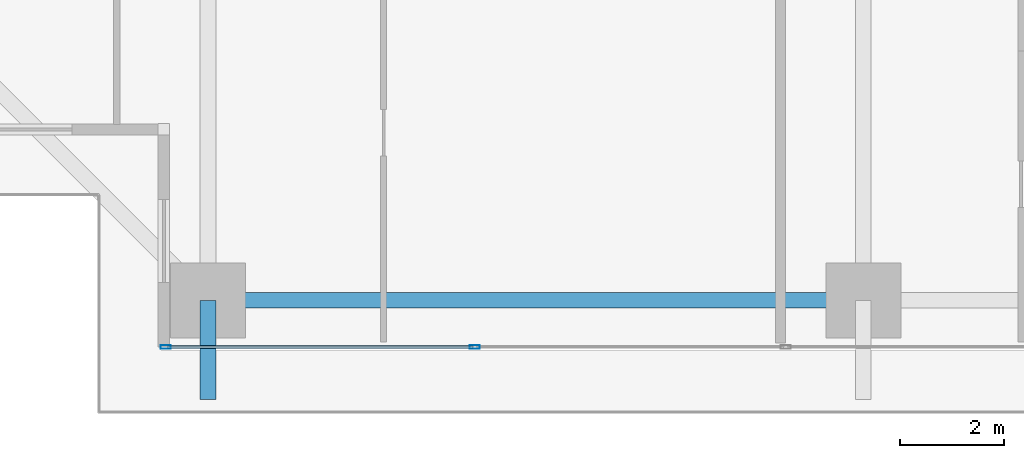
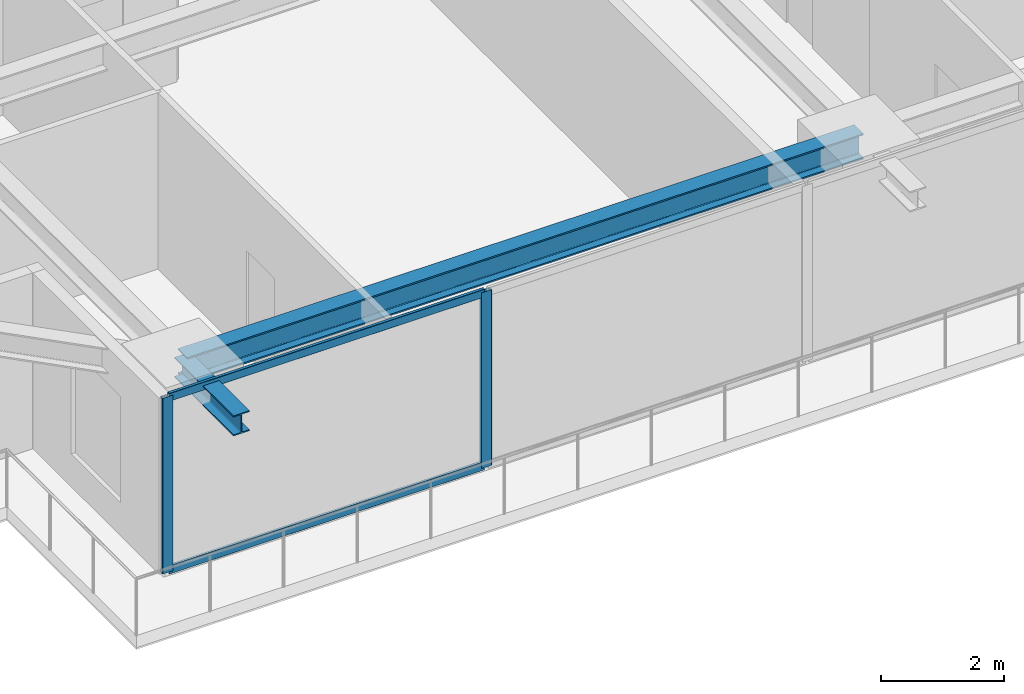
# One storey, part 2 of 37: 4 members, 2 beams, 1 element without a shape of its own.
"""IFC4 building model written with IfcOpenShell, lengths in metres."""

from ifc_helpers import new_model, si_unit, direction, frame, origin, origin_2d, place, context, subcontext, project, spatial, hollow_rectangle, i_section, extrude, source, transform, mapped, material, layer, layer_set, material_profile, profile_set, type_object, element, aggregate, save


model = new_model("IFC4")

# Units and contexts
model_context = context("Model", 3, precision=1e-05, world=origin(), true_north=direction((0.0, 1.0)))
body_context = subcontext(model_context, "Body", "Model", "MODEL_VIEW")
ifc_project = project(units=[si_unit("LENGTHUNIT", "METRE"), si_unit("AREAUNIT", "SQUARE_METRE"), si_unit("VOLUMEUNIT", "CUBIC_METRE"), si_unit("PLANEANGLEUNIT", "RADIAN"), si_unit("MASSUNIT", "GRAM", prefix="KILO")], contexts=[model_context])

# Site, building, storey
site_placement = place(None, origin())
site = spatial("IfcSite", under=ifc_project, at=site_placement, CompositionType="ELEMENT")
building_placement = place(site_placement, origin())
building = spatial("IfcBuilding", under=site, at=building_placement, Name="Serunith Strait Residences", CompositionType="ELEMENT")
storey_placement = place(building_placement, frame((0.0, 0.0, 26.699951171875)))
storey = spatial("IfcBuildingStorey", under=building, at=storey_placement, Name="L05", CompositionType="ELEMENT", Elevation=26.699951171875)

# Beams
ifc_material_1 = material(Name="Steel S355J2", Category="steel")
ifc_material_profile_1 = material_profile(ifc_material_1, i_section(OverallWidth=0.300048828125, OverallDepth=0.5, WebThickness=0.014404296875, FlangeThickness=0.028076171875, FilletRadius=0.027099609375, at=origin_2d()), Name="HEB 500")
ifc_profile_set_1 = profile_set([ifc_material_profile_1], Name="Steel S355J2")
beam_type_1 = type_object("IfcBeamType", Name="BM-HEB500", PredefinedType="BEAM", material=ifc_profile_set_1)
shared_shape_1 = source(origin(), body_context, "Body", "SweptSolid", [
    extrude(i_section(OverallWidth=0.300048828125, OverallDepth=0.5, WebThickness=0.014404296875, FlangeThickness=0.028076171875, FilletRadius=0.027099609375, at=origin_2d()), origin(), (0.0, 0.0, 1.0), 12.64990234375),
])
beam_1_placement = place(storey_placement, frame((15.25, 1.10009765625, 3.237060546875), z_axis=(1.0, 0.0, 0.0), x_axis=(0.0, 1.0, 0.0)))
element("IfcBeam", 1, at=beam_1_placement, inside=storey, type_object=beam_type_1, Name="L05 Perimeter Ring Beam 01", PredefinedType="BEAM", context=body_context, shape_type="MappedRepresentation", body=[
    mapped(shared_shape_1, transform((0.0, 0.0, 0.0), scale=1.0)),
])
ifc_material_profile_2 = material_profile(ifc_material_1, i_section(OverallWidth=0.300048828125, OverallDepth=0.39990234375, WebThickness=0.013427734375, FlangeThickness=0.02392578125, FilletRadius=0.027099609375, at=origin_2d()), Name="HEB 400")
ifc_profile_set_2 = profile_set([ifc_material_profile_2], Name="Steel S355J2")
beam_type_2 = type_object("IfcBeamType", Name="BM-HEB400", PredefinedType="BEAM", material=ifc_profile_set_2)
shared_shape_2 = source(origin(), body_context, "Body", "SweptSolid", [
    extrude(i_section(OverallWidth=0.300048828125, OverallDepth=0.39990234375, WebThickness=0.013427734375, FlangeThickness=0.02392578125, FilletRadius=0.027099609375, at=origin_2d()), origin(), (0.0, 0.0, 1.0), 1.91015625),
])
beam_2_placement = place(storey_placement, frame((15.25, 1.10009765625, 3.257080078125), z_axis=(0.0, -1.0, 0.0), x_axis=(1.0, 0.0, 0.0)))
element("IfcBeam", 2, at=beam_2_placement, inside=storey, type_object=beam_type_2, Name="L06 Cantilevered Balcony Rib TC-S1", PredefinedType="BEAM", context=body_context, shape_type="MappedRepresentation", body=[
    mapped(shared_shape_2, transform((0.0, 0.0, 0.0), scale=1.0)),
])

# Curtain wall, members
ifc_material_2 = material(Name="Pale-Champagne Anodised Aluminium", Category="aluminium")
ifc_layer = layer(ifc_material_2, 0.199951171875, Name="Pale-Champagne Anodised Aluminium")
ifc_layer_set = layer_set([ifc_layer], Name="Pale-Champagne Anodised Aluminium")
curtain_wall_type = type_object("IfcCurtainWallType", Name="CW-SYS1", PredefinedType="NOTDEFINED", material=ifc_layer_set)
curtain_wall_placement = place(storey_placement, origin())
curtain_wall = element("IfcCurtainWall", 3, at=curtain_wall_placement, inside=storey, type_object=curtain_wall_type, Name="L05 S Unitised Fritted Curtain Wall", PredefinedType="NOTDEFINED")
ifc_material_profile_3 = material_profile(ifc_material_2, hollow_rectangle(XDim=0.070068359375, YDim=0.199951171875, WallThickness=0.00390625, InnerFilletRadius=0.006103515625, OuterFilletRadius=0.010009765625, at=origin_2d()), Name="ALU 200x70x4")
ifc_profile_set_3 = profile_set([ifc_material_profile_3], Name="Pale-Champagne Anodised Aluminium")
member_type_1 = type_object("IfcMemberType", Name="CW-SYS1-MULL", PredefinedType="MULLION", material=ifc_profile_set_3)
shared_shape_3 = source(origin(), body_context, "Body", "SweptSolid", [
    extrude(hollow_rectangle(XDim=0.070068359375, YDim=0.199951171875, WallThickness=0.00390625, InnerFilletRadius=0.006103515625, OuterFilletRadius=0.010009765625, at=origin_2d()), origin(), (0.0, 0.0, 1.0), 3.47509765625),
])
member_1_placement = place(storey_placement, frame((14.43505859375, 0.199951171875, 0.0), z_axis=(0.0, 0.0, 1.0), x_axis=(0.0, 1.0, 0.0)))
member_1 = element("IfcMember", 4, at=member_1_placement, type_object=member_type_1, Name="CW-1 mullion 1", PredefinedType="MULLION", context=body_context, shape_type="MappedRepresentation", body=[
    mapped(shared_shape_3, transform((0.0, 0.0, 0.0), scale=1.0)),
])
member_2_placement = place(storey_placement, frame((20.39990234375, 0.199951171875, 0.0), z_axis=(0.0, 0.0, 1.0), x_axis=(0.0, 1.0, 0.0)))
member_2 = element("IfcMember", 5, at=member_2_placement, type_object=member_type_1, Name="CW-1 mullion 2", PredefinedType="MULLION", context=body_context, shape_type="MappedRepresentation", body=[
    mapped(shared_shape_3, transform((0.0, 0.0, 0.0), scale=1.0)),
])
ifc_material_profile_4 = material_profile(ifc_material_2, hollow_rectangle(XDim=0.06005859375, YDim=0.159912109375, WallThickness=0.00341796875, InnerFilletRadius=0.00537109375, OuterFilletRadius=0.0087890625, at=origin_2d()), Name="ALU 160x60x3.5")
ifc_profile_set_4 = profile_set([ifc_material_profile_4], Name="Pale-Champagne Anodised Aluminium")
member_type_2 = type_object("IfcMemberType", Name="CW-SYS1-TRAN", PredefinedType="USERDEFINED", material=ifc_profile_set_4)
shared_shape_4 = source(origin(), body_context, "Body", "SweptSolid", [
    extrude(hollow_rectangle(XDim=0.06005859375, YDim=0.159912109375, WallThickness=0.00341796875, InnerFilletRadius=0.00537109375, OuterFilletRadius=0.0087890625, at=origin_2d()), origin(), (0.0, 0.0, 1.0), 5.89501953125),
])
member_3_placement = place(storey_placement, frame((14.469970703125, 0.199951171875, 0.030029296875), z_axis=(1.0, 0.0, 0.0), x_axis=(0.0, 1.0, 0.0)))
member_3 = element("IfcMember", 6, at=member_3_placement, type_object=member_type_2, Name="CW-1 transom 1.1", ObjectType="TRANSOM", PredefinedType="USERDEFINED", context=body_context, shape_type="MappedRepresentation", body=[
    mapped(shared_shape_4, transform((0.0, 0.0, 0.0), scale=1.0)),
])
member_4_placement = place(storey_placement, frame((14.469970703125, 0.199951171875, 3.445068359375), z_axis=(1.0, 0.0, 0.0), x_axis=(0.0, 1.0, 0.0)))
member_4 = element("IfcMember", 7, at=member_4_placement, type_object=member_type_2, Name="CW-1 transom 1.2", ObjectType="TRANSOM", PredefinedType="USERDEFINED", context=body_context, shape_type="MappedRepresentation", body=[
    mapped(shared_shape_4, transform((0.0, 0.0, 0.0), scale=1.0)),
])
aggregate(curtain_wall, [member_1, member_2, member_3, member_4])

save(model, "model.ifc")
